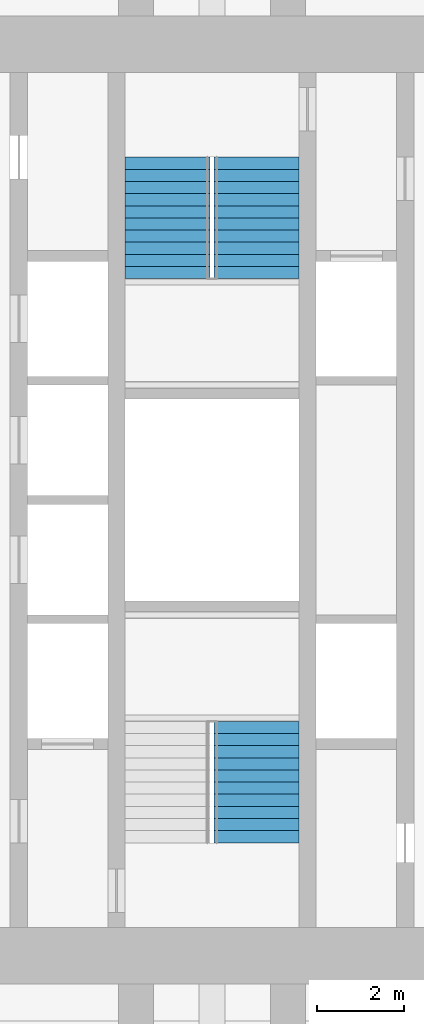
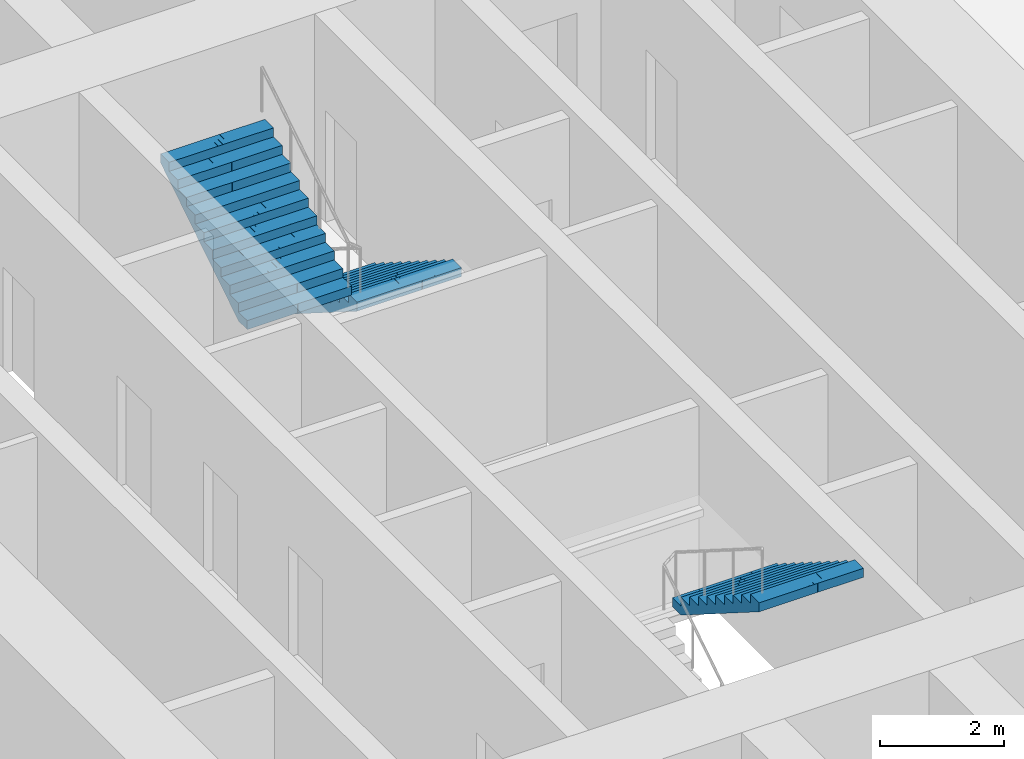
# One storey, part 18 of 19: 3 stair flights, 2 elements without a shape of their own.
"""IFC4 building model written with IfcOpenShell, lengths in metres."""

from ifc_helpers import new_model, si_unit, direction, frame, origin, place, context, subcontext, project, spatial, polyline, outline, extrude, material, type_object, element, aggregate, save


model = new_model("IFC4")

# Units and contexts
model_context = context("Model", 3, precision=1e-05, world=origin(), true_north=direction((0.0, 1.0)))
body_context = subcontext(model_context, "Body", "Model", "MODEL_VIEW")
ifc_project = project(units=[si_unit("LENGTHUNIT", "METRE"), si_unit("AREAUNIT", "SQUARE_METRE"), si_unit("VOLUMEUNIT", "CUBIC_METRE"), si_unit("PLANEANGLEUNIT", "RADIAN"), si_unit("MASSUNIT", "GRAM", prefix="KILO")], contexts=[model_context])

# Site, building, storey
site_placement = place(None, origin())
site = spatial("IfcSite", under=ifc_project, at=site_placement, CompositionType="ELEMENT")
building_placement = place(site_placement, origin())
building = spatial("IfcBuilding", under=site, at=building_placement, Name="Mizan Broadcast Tower", CompositionType="ELEMENT")
storey_placement = place(building_placement, frame((0.0, 0.0, 167.10009765625)))
storey = spatial("IfcBuildingStorey", under=building, at=storey_placement, Name="L38", CompositionType="ELEMENT", Elevation=167.10009765625)

# Stair, stair flight
ifc_material_1 = material(Name="Concrete C40/50", Category="concrete")
stair_type = type_object("IfcStairType", Name="EXIT STAIR", PredefinedType="HALF_TURN_STAIR", material=ifc_material_1)
stair_1_placement = place(storey_placement, origin())
stair_1 = element("IfcStair", 1, at=stair_1_placement, inside=storey, type_object=stair_type, Name="Stair A L38", PredefinedType="HALF_TURN_STAIR")
ifc_material_2 = material(Name="Concrete C40/50", Category="concrete")
stair_flight_type = type_object("IfcStairFlightType", Name="EXIT STAIR FLIGHT", PredefinedType="STRAIGHT", material=ifc_material_2)
stair_flight_1_placement = place(storey_placement, frame((1.02490234375, -5.10009765625, 1.949951171875), z_axis=(0.0, 0.0, 1.0), x_axis=(0.0, -1.0, 0.0)))
stair_flight_1 = element("IfcStairFlight", 2, at=stair_flight_1_placement, type_object=stair_flight_type, Name="A flight 2", NumberOfRisers=11, NumberOfTreads=10, PredefinedType="STRAIGHT", RiserHeight=0.177272727, TreadLength=0.28, context=body_context, shape_type="SweptSolid", body=[
    extrude(outline(polyline([(0.0, 0.0), (0.0, 0.17724609375), (0.280029296875, 0.17724609375), (0.280029296875, 0.3544921875), (0.56005859375, 0.3544921875), (0.56005859375, 0.53173828125), (0.840087890625, 0.53173828125), (0.840087890625, 0.708984375), (1.1201171875, 0.708984375), (1.1201171875, 0.886474609375), (1.39990234375, 0.886474609375), (1.39990234375, 1.063720703125), (1.679931640625, 1.063720703125), (1.679931640625, 1.240966796875), (1.9599609375, 1.240966796875), (1.9599609375, 1.418212890625), (2.239990234375, 1.418212890625), (2.239990234375, 1.595458984375), (2.52001953125, 1.595458984375), (2.52001953125, 1.772705078125), (2.800048828125, 1.772705078125), (2.800048828125, 1.949951171875), (2.800048828125, 1.59521484375), (0.2802734375, 0.0), (0.0, 0.0)])), frame((0.0, 0.97509765625, 0.0), z_axis=(0.0, -1.0, 0.0), x_axis=(1.0, 0.0, 0.0)), (0.0, 0.0, 1.0), 0.4873046875),
    extrude(outline(polyline([(0.0, 0.0), (0.0, 0.17724609375), (0.280029296875, 0.17724609375), (0.280029296875, 0.3544921875), (0.56005859375, 0.3544921875), (0.56005859375, 0.53173828125), (0.840087890625, 0.53173828125), (0.840087890625, 0.708984375), (1.1201171875, 0.708984375), (1.1201171875, 0.886474609375), (1.39990234375, 0.886474609375), (1.39990234375, 1.063720703125), (1.679931640625, 1.063720703125), (1.679931640625, 1.240966796875), (1.9599609375, 1.240966796875), (1.9599609375, 1.418212890625), (2.239990234375, 1.418212890625), (2.239990234375, 1.595458984375), (2.52001953125, 1.595458984375), (2.52001953125, 1.772705078125), (2.800048828125, 1.772705078125), (2.800048828125, 1.949951171875), (2.800048828125, 1.59521484375), (0.2802734375, 0.0), (0.0, 0.0)])), frame((0.0, 0.4873046875, 0.0), z_axis=(0.0, -1.0, 0.0), x_axis=(1.0, 0.0, 0.0)), (0.0, 0.0, 1.0), 0.2431640625),
    extrude(outline(polyline([(0.0, 0.0), (0.0, 0.17724609375), (0.280029296875, 0.17724609375), (0.280029296875, 0.3544921875), (0.56005859375, 0.3544921875), (0.56005859375, 0.53173828125), (0.840087890625, 0.53173828125), (0.840087890625, 0.708984375), (1.1201171875, 0.708984375), (1.1201171875, 0.886474609375), (1.39990234375, 0.886474609375), (1.39990234375, 1.063720703125), (1.679931640625, 1.063720703125), (1.679931640625, 1.240966796875), (1.9599609375, 1.240966796875), (1.9599609375, 1.418212890625), (2.239990234375, 1.418212890625), (2.239990234375, 1.595458984375), (2.52001953125, 1.595458984375), (2.52001953125, 1.772705078125), (2.800048828125, 1.772705078125), (2.800048828125, 1.949951171875), (2.800048828125, 1.59521484375), (0.2802734375, 0.0), (0.0, 0.0)])), frame((0.0, 0.24365234375, 0.0), z_axis=(0.0, -1.0, 0.0), x_axis=(1.0, 0.0, 0.0)), (0.0, 0.0, 1.0), 0.121337890625),
    extrude(outline(polyline([(0.0, 0.0), (0.0, 0.17724609375), (0.280029296875, 0.17724609375), (0.280029296875, 0.3544921875), (0.56005859375, 0.3544921875), (0.56005859375, 0.53173828125), (0.840087890625, 0.53173828125), (0.840087890625, 0.708984375), (1.1201171875, 0.708984375), (1.1201171875, 0.886474609375), (1.39990234375, 0.886474609375), (1.39990234375, 1.063720703125), (1.679931640625, 1.063720703125), (1.679931640625, 1.240966796875), (1.9599609375, 1.240966796875), (1.9599609375, 1.418212890625), (2.239990234375, 1.418212890625), (2.239990234375, 1.595458984375), (2.52001953125, 1.595458984375), (2.52001953125, 1.772705078125), (2.800048828125, 1.772705078125), (2.800048828125, 1.949951171875), (2.800048828125, 1.59521484375), (0.2802734375, 0.0), (0.0, 0.0)])), frame((0.0, 0.121826171875, 0.0), z_axis=(0.0, -1.0, 0.0), x_axis=(1.0, 0.0, 0.0)), (0.0, 0.0, 1.0), 0.060546875),
    extrude(outline(polyline([(0.0, 0.0), (0.0, 0.17724609375), (0.280029296875, 0.17724609375), (0.280029296875, 0.3544921875), (0.56005859375, 0.3544921875), (0.56005859375, 0.53173828125), (0.840087890625, 0.53173828125), (0.840087890625, 0.708984375), (1.1201171875, 0.708984375), (1.1201171875, 0.886474609375), (1.39990234375, 0.886474609375), (1.39990234375, 1.063720703125), (1.679931640625, 1.063720703125), (1.679931640625, 1.240966796875), (1.9599609375, 1.240966796875), (1.9599609375, 1.418212890625), (2.239990234375, 1.418212890625), (2.239990234375, 1.595458984375), (2.52001953125, 1.595458984375), (2.52001953125, 1.772705078125), (2.800048828125, 1.772705078125), (2.800048828125, 1.949951171875), (2.800048828125, 1.59521484375), (0.2802734375, 0.0), (0.0, 0.0)])), frame((0.0, 0.060791015625, 0.0), z_axis=(0.0, -1.0, 0.0), x_axis=(1.0, 0.0, 0.0)), (0.0, 0.0, 1.0), 0.030029296875),
    extrude(outline(polyline([(0.0, 0.0), (0.0, 0.17724609375), (0.280029296875, 0.17724609375), (0.280029296875, 0.3544921875), (0.56005859375, 0.3544921875), (0.56005859375, 0.53173828125), (0.840087890625, 0.53173828125), (0.840087890625, 0.708984375), (1.1201171875, 0.708984375), (1.1201171875, 0.886474609375), (1.39990234375, 0.886474609375), (1.39990234375, 1.063720703125), (1.679931640625, 1.063720703125), (1.679931640625, 1.240966796875), (1.9599609375, 1.240966796875), (1.9599609375, 1.418212890625), (2.239990234375, 1.418212890625), (2.239990234375, 1.595458984375), (2.52001953125, 1.595458984375), (2.52001953125, 1.772705078125), (2.800048828125, 1.772705078125), (2.800048828125, 1.949951171875), (2.800048828125, 1.59521484375), (0.2802734375, 0.0), (0.0, 0.0)])), frame((0.0, 0.0302734375, 0.0), z_axis=(0.0, -1.0, 0.0), x_axis=(1.0, 0.0, 0.0)), (0.0, 0.0, 1.0), 0.060302734375),
    extrude(outline(polyline([(0.0, 0.0), (0.0, 0.17724609375), (0.280029296875, 0.17724609375), (0.280029296875, 0.3544921875), (0.56005859375, 0.3544921875), (0.56005859375, 0.53173828125), (0.840087890625, 0.53173828125), (0.840087890625, 0.708984375), (1.1201171875, 0.708984375), (1.1201171875, 0.886474609375), (1.39990234375, 0.886474609375), (1.39990234375, 1.063720703125), (1.679931640625, 1.063720703125), (1.679931640625, 1.240966796875), (1.9599609375, 1.240966796875), (1.9599609375, 1.418212890625), (2.239990234375, 1.418212890625), (2.239990234375, 1.595458984375), (2.52001953125, 1.595458984375), (2.52001953125, 1.772705078125), (2.800048828125, 1.772705078125), (2.800048828125, 1.949951171875), (2.800048828125, 1.59521484375), (0.2802734375, 0.0), (0.0, 0.0)])), frame((0.0, -0.030517578125, 0.0), z_axis=(0.0, -1.0, 0.0), x_axis=(1.0, 0.0, 0.0)), (0.0, 0.0, 1.0), 0.030029296875),
    extrude(outline(polyline([(0.0, 0.0), (0.0, 0.17724609375), (0.280029296875, 0.17724609375), (0.280029296875, 0.3544921875), (0.56005859375, 0.3544921875), (0.56005859375, 0.53173828125), (0.840087890625, 0.53173828125), (0.840087890625, 0.708984375), (1.1201171875, 0.708984375), (1.1201171875, 0.886474609375), (1.39990234375, 0.886474609375), (1.39990234375, 1.063720703125), (1.679931640625, 1.063720703125), (1.679931640625, 1.240966796875), (1.9599609375, 1.240966796875), (1.9599609375, 1.418212890625), (2.239990234375, 1.418212890625), (2.239990234375, 1.595458984375), (2.52001953125, 1.595458984375), (2.52001953125, 1.772705078125), (2.800048828125, 1.772705078125), (2.800048828125, 1.949951171875), (2.800048828125, 1.59521484375), (0.2802734375, 0.0), (0.0, 0.0)])), frame((0.0, -0.06103515625, 0.0), z_axis=(0.0, -1.0, 0.0), x_axis=(1.0, 0.0, 0.0)), (0.0, 0.0, 1.0), 0.060546875),
    extrude(outline(polyline([(0.0, 0.0), (0.0, 0.17724609375), (0.280029296875, 0.17724609375), (0.280029296875, 0.3544921875), (0.56005859375, 0.3544921875), (0.56005859375, 0.53173828125), (0.840087890625, 0.53173828125), (0.840087890625, 0.708984375), (1.1201171875, 0.708984375), (1.1201171875, 0.886474609375), (1.39990234375, 0.886474609375), (1.39990234375, 1.063720703125), (1.679931640625, 1.063720703125), (1.679931640625, 1.240966796875), (1.9599609375, 1.240966796875), (1.9599609375, 1.418212890625), (2.239990234375, 1.418212890625), (2.239990234375, 1.595458984375), (2.52001953125, 1.595458984375), (2.52001953125, 1.772705078125), (2.800048828125, 1.772705078125), (2.800048828125, 1.949951171875), (2.800048828125, 1.59521484375), (0.2802734375, 0.0), (0.0, 0.0)])), frame((0.0, -0.1220703125, 0.0), z_axis=(0.0, -1.0, 0.0), x_axis=(1.0, 0.0, 0.0)), (0.0, 0.0, 1.0), 0.121337890625),
    extrude(outline(polyline([(0.0, 0.0), (0.0, 0.17724609375), (0.280029296875, 0.17724609375), (0.280029296875, 0.3544921875), (0.56005859375, 0.3544921875), (0.56005859375, 0.53173828125), (0.840087890625, 0.53173828125), (0.840087890625, 0.708984375), (1.1201171875, 0.708984375), (1.1201171875, 0.886474609375), (1.39990234375, 0.886474609375), (1.39990234375, 1.063720703125), (1.679931640625, 1.063720703125), (1.679931640625, 1.240966796875), (1.9599609375, 1.240966796875), (1.9599609375, 1.418212890625), (2.239990234375, 1.418212890625), (2.239990234375, 1.595458984375), (2.52001953125, 1.595458984375), (2.52001953125, 1.772705078125), (2.800048828125, 1.772705078125), (2.800048828125, 1.949951171875), (2.800048828125, 1.59521484375), (0.2802734375, 0.0), (0.0, 0.0)])), frame((0.0, -0.243896484375, 0.0), z_axis=(0.0, -1.0, 0.0), x_axis=(1.0, 0.0, 0.0)), (0.0, 0.0, 1.0), 0.2431640625),
    extrude(outline(polyline([(0.0, 0.0), (0.0, 0.17724609375), (0.280029296875, 0.17724609375), (0.280029296875, 0.3544921875), (0.56005859375, 0.3544921875), (0.56005859375, 0.53173828125), (0.840087890625, 0.53173828125), (0.840087890625, 0.708984375), (1.1201171875, 0.708984375), (1.1201171875, 0.886474609375), (1.39990234375, 0.886474609375), (1.39990234375, 1.063720703125), (1.679931640625, 1.063720703125), (1.679931640625, 1.240966796875), (1.9599609375, 1.240966796875), (1.9599609375, 1.418212890625), (2.239990234375, 1.418212890625), (2.239990234375, 1.595458984375), (2.52001953125, 1.595458984375), (2.52001953125, 1.772705078125), (2.800048828125, 1.772705078125), (2.800048828125, 1.949951171875), (2.800048828125, 1.59521484375), (0.2802734375, 0.0), (0.0, 0.0)])), frame((0.0, -0.487548828125, 0.0), z_axis=(0.0, -1.0, 0.0), x_axis=(1.0, 0.0, 0.0)), (0.0, 0.0, 1.0), 0.4873046875),
])
aggregate(stair_1, [stair_flight_1])

# Stair, stair flights
stair_2_placement = place(storey_placement, origin())
stair_2 = element("IfcStair", 3, at=stair_2_placement, inside=storey, type_object=stair_type, Name="Stair B L38", PredefinedType="HALF_TURN_STAIR")
stair_flight_2_placement = place(storey_placement, frame((1.02490234375, 7.89990234375, 0.0), z_axis=(0.0, 0.0, 1.0), x_axis=(0.0, -1.0, 0.0)))
stair_flight_2 = element("IfcStairFlight", 4, at=stair_flight_2_placement, type_object=stair_flight_type, Name="B flight 1", NumberOfRisers=11, NumberOfTreads=10, PredefinedType="STRAIGHT", RiserHeight=0.177272727, TreadLength=0.28, context=body_context, shape_type="SweptSolid", body=[
    extrude(outline(polyline([(0.0, 0.0), (0.0, 0.17724609375), (0.280029296875, 0.17724609375), (0.280029296875, 0.3544921875), (0.56005859375, 0.3544921875), (0.56005859375, 0.53173828125), (0.840087890625, 0.53173828125), (0.840087890625, 0.708984375), (1.1201171875, 0.708984375), (1.1201171875, 0.886474609375), (1.39990234375, 0.886474609375), (1.39990234375, 1.063720703125), (1.679931640625, 1.063720703125), (1.679931640625, 1.240966796875), (1.9599609375, 1.240966796875), (1.9599609375, 1.418212890625), (2.239990234375, 1.418212890625), (2.239990234375, 1.595458984375), (2.52001953125, 1.595458984375), (2.52001953125, 1.772705078125), (2.800048828125, 1.772705078125), (2.800048828125, 1.949951171875), (2.800048828125, 1.59521484375), (0.2802734375, 0.0), (0.0, 0.0)])), frame((0.0, 0.97509765625, 0.0), z_axis=(0.0, -1.0, 0.0), x_axis=(1.0, 0.0, 0.0)), (0.0, 0.0, 1.0), 0.4873046875),
    extrude(outline(polyline([(0.0, 0.0), (0.0, 0.17724609375), (0.280029296875, 0.17724609375), (0.280029296875, 0.3544921875), (0.56005859375, 0.3544921875), (0.56005859375, 0.53173828125), (0.840087890625, 0.53173828125), (0.840087890625, 0.708984375), (1.1201171875, 0.708984375), (1.1201171875, 0.886474609375), (1.39990234375, 0.886474609375), (1.39990234375, 1.063720703125), (1.679931640625, 1.063720703125), (1.679931640625, 1.240966796875), (1.9599609375, 1.240966796875), (1.9599609375, 1.418212890625), (2.239990234375, 1.418212890625), (2.239990234375, 1.595458984375), (2.52001953125, 1.595458984375), (2.52001953125, 1.772705078125), (2.800048828125, 1.772705078125), (2.800048828125, 1.949951171875), (2.800048828125, 1.59521484375), (0.2802734375, 0.0), (0.0, 0.0)])), frame((0.0, 0.4873046875, 0.0), z_axis=(0.0, -1.0, 0.0), x_axis=(1.0, 0.0, 0.0)), (0.0, 0.0, 1.0), 0.2431640625),
    extrude(outline(polyline([(0.0, 0.0), (0.0, 0.17724609375), (0.280029296875, 0.17724609375), (0.280029296875, 0.3544921875), (0.56005859375, 0.3544921875), (0.56005859375, 0.53173828125), (0.840087890625, 0.53173828125), (0.840087890625, 0.708984375), (1.1201171875, 0.708984375), (1.1201171875, 0.886474609375), (1.39990234375, 0.886474609375), (1.39990234375, 1.063720703125), (1.679931640625, 1.063720703125), (1.679931640625, 1.240966796875), (1.9599609375, 1.240966796875), (1.9599609375, 1.418212890625), (2.239990234375, 1.418212890625), (2.239990234375, 1.595458984375), (2.52001953125, 1.595458984375), (2.52001953125, 1.772705078125), (2.800048828125, 1.772705078125), (2.800048828125, 1.949951171875), (2.800048828125, 1.59521484375), (0.2802734375, 0.0), (0.0, 0.0)])), frame((0.0, 0.24365234375, 0.0), z_axis=(0.0, -1.0, 0.0), x_axis=(1.0, 0.0, 0.0)), (0.0, 0.0, 1.0), 0.121337890625),
    extrude(outline(polyline([(0.0, 0.0), (0.0, 0.17724609375), (0.280029296875, 0.17724609375), (0.280029296875, 0.3544921875), (0.56005859375, 0.3544921875), (0.56005859375, 0.53173828125), (0.840087890625, 0.53173828125), (0.840087890625, 0.708984375), (1.1201171875, 0.708984375), (1.1201171875, 0.886474609375), (1.39990234375, 0.886474609375), (1.39990234375, 1.063720703125), (1.679931640625, 1.063720703125), (1.679931640625, 1.240966796875), (1.9599609375, 1.240966796875), (1.9599609375, 1.418212890625), (2.239990234375, 1.418212890625), (2.239990234375, 1.595458984375), (2.52001953125, 1.595458984375), (2.52001953125, 1.772705078125), (2.800048828125, 1.772705078125), (2.800048828125, 1.949951171875), (2.800048828125, 1.59521484375), (0.2802734375, 0.0), (0.0, 0.0)])), frame((0.0, 0.121826171875, 0.0), z_axis=(0.0, -1.0, 0.0), x_axis=(1.0, 0.0, 0.0)), (0.0, 0.0, 1.0), 0.060546875),
    extrude(outline(polyline([(0.0, 0.0), (0.0, 0.17724609375), (0.280029296875, 0.17724609375), (0.280029296875, 0.3544921875), (0.56005859375, 0.3544921875), (0.56005859375, 0.53173828125), (0.840087890625, 0.53173828125), (0.840087890625, 0.708984375), (1.1201171875, 0.708984375), (1.1201171875, 0.886474609375), (1.39990234375, 0.886474609375), (1.39990234375, 1.063720703125), (1.679931640625, 1.063720703125), (1.679931640625, 1.240966796875), (1.9599609375, 1.240966796875), (1.9599609375, 1.418212890625), (2.239990234375, 1.418212890625), (2.239990234375, 1.595458984375), (2.52001953125, 1.595458984375), (2.52001953125, 1.772705078125), (2.800048828125, 1.772705078125), (2.800048828125, 1.949951171875), (2.800048828125, 1.59521484375), (0.2802734375, 0.0), (0.0, 0.0)])), frame((0.0, 0.060791015625, 0.0), z_axis=(0.0, -1.0, 0.0), x_axis=(1.0, 0.0, 0.0)), (0.0, 0.0, 1.0), 0.030029296875),
    extrude(outline(polyline([(0.0, 0.0), (0.0, 0.17724609375), (0.280029296875, 0.17724609375), (0.280029296875, 0.3544921875), (0.56005859375, 0.3544921875), (0.56005859375, 0.53173828125), (0.840087890625, 0.53173828125), (0.840087890625, 0.708984375), (1.1201171875, 0.708984375), (1.1201171875, 0.886474609375), (1.39990234375, 0.886474609375), (1.39990234375, 1.063720703125), (1.679931640625, 1.063720703125), (1.679931640625, 1.240966796875), (1.9599609375, 1.240966796875), (1.9599609375, 1.418212890625), (2.239990234375, 1.418212890625), (2.239990234375, 1.595458984375), (2.52001953125, 1.595458984375), (2.52001953125, 1.772705078125), (2.800048828125, 1.772705078125), (2.800048828125, 1.949951171875), (2.800048828125, 1.59521484375), (0.2802734375, 0.0), (0.0, 0.0)])), frame((0.0, 0.0302734375, 0.0), z_axis=(0.0, -1.0, 0.0), x_axis=(1.0, 0.0, 0.0)), (0.0, 0.0, 1.0), 0.060302734375),
    extrude(outline(polyline([(0.0, 0.0), (0.0, 0.17724609375), (0.280029296875, 0.17724609375), (0.280029296875, 0.3544921875), (0.56005859375, 0.3544921875), (0.56005859375, 0.53173828125), (0.840087890625, 0.53173828125), (0.840087890625, 0.708984375), (1.1201171875, 0.708984375), (1.1201171875, 0.886474609375), (1.39990234375, 0.886474609375), (1.39990234375, 1.063720703125), (1.679931640625, 1.063720703125), (1.679931640625, 1.240966796875), (1.9599609375, 1.240966796875), (1.9599609375, 1.418212890625), (2.239990234375, 1.418212890625), (2.239990234375, 1.595458984375), (2.52001953125, 1.595458984375), (2.52001953125, 1.772705078125), (2.800048828125, 1.772705078125), (2.800048828125, 1.949951171875), (2.800048828125, 1.59521484375), (0.2802734375, 0.0), (0.0, 0.0)])), frame((0.0, -0.030517578125, 0.0), z_axis=(0.0, -1.0, 0.0), x_axis=(1.0, 0.0, 0.0)), (0.0, 0.0, 1.0), 0.030029296875),
    extrude(outline(polyline([(0.0, 0.0), (0.0, 0.17724609375), (0.280029296875, 0.17724609375), (0.280029296875, 0.3544921875), (0.56005859375, 0.3544921875), (0.56005859375, 0.53173828125), (0.840087890625, 0.53173828125), (0.840087890625, 0.708984375), (1.1201171875, 0.708984375), (1.1201171875, 0.886474609375), (1.39990234375, 0.886474609375), (1.39990234375, 1.063720703125), (1.679931640625, 1.063720703125), (1.679931640625, 1.240966796875), (1.9599609375, 1.240966796875), (1.9599609375, 1.418212890625), (2.239990234375, 1.418212890625), (2.239990234375, 1.595458984375), (2.52001953125, 1.595458984375), (2.52001953125, 1.772705078125), (2.800048828125, 1.772705078125), (2.800048828125, 1.949951171875), (2.800048828125, 1.59521484375), (0.2802734375, 0.0), (0.0, 0.0)])), frame((0.0, -0.06103515625, 0.0), z_axis=(0.0, -1.0, 0.0), x_axis=(1.0, 0.0, 0.0)), (0.0, 0.0, 1.0), 0.060546875),
    extrude(outline(polyline([(0.0, 0.0), (0.0, 0.17724609375), (0.280029296875, 0.17724609375), (0.280029296875, 0.3544921875), (0.56005859375, 0.3544921875), (0.56005859375, 0.53173828125), (0.840087890625, 0.53173828125), (0.840087890625, 0.708984375), (1.1201171875, 0.708984375), (1.1201171875, 0.886474609375), (1.39990234375, 0.886474609375), (1.39990234375, 1.063720703125), (1.679931640625, 1.063720703125), (1.679931640625, 1.240966796875), (1.9599609375, 1.240966796875), (1.9599609375, 1.418212890625), (2.239990234375, 1.418212890625), (2.239990234375, 1.595458984375), (2.52001953125, 1.595458984375), (2.52001953125, 1.772705078125), (2.800048828125, 1.772705078125), (2.800048828125, 1.949951171875), (2.800048828125, 1.59521484375), (0.2802734375, 0.0), (0.0, 0.0)])), frame((0.0, -0.1220703125, 0.0), z_axis=(0.0, -1.0, 0.0), x_axis=(1.0, 0.0, 0.0)), (0.0, 0.0, 1.0), 0.121337890625),
    extrude(outline(polyline([(0.0, 0.0), (0.0, 0.17724609375), (0.280029296875, 0.17724609375), (0.280029296875, 0.3544921875), (0.56005859375, 0.3544921875), (0.56005859375, 0.53173828125), (0.840087890625, 0.53173828125), (0.840087890625, 0.708984375), (1.1201171875, 0.708984375), (1.1201171875, 0.886474609375), (1.39990234375, 0.886474609375), (1.39990234375, 1.063720703125), (1.679931640625, 1.063720703125), (1.679931640625, 1.240966796875), (1.9599609375, 1.240966796875), (1.9599609375, 1.418212890625), (2.239990234375, 1.418212890625), (2.239990234375, 1.595458984375), (2.52001953125, 1.595458984375), (2.52001953125, 1.772705078125), (2.800048828125, 1.772705078125), (2.800048828125, 1.949951171875), (2.800048828125, 1.59521484375), (0.2802734375, 0.0), (0.0, 0.0)])), frame((0.0, -0.243896484375, 0.0), z_axis=(0.0, -1.0, 0.0), x_axis=(1.0, 0.0, 0.0)), (0.0, 0.0, 1.0), 0.2431640625),
    extrude(outline(polyline([(0.0, 0.0), (0.0, 0.17724609375), (0.280029296875, 0.17724609375), (0.280029296875, 0.3544921875), (0.56005859375, 0.3544921875), (0.56005859375, 0.53173828125), (0.840087890625, 0.53173828125), (0.840087890625, 0.708984375), (1.1201171875, 0.708984375), (1.1201171875, 0.886474609375), (1.39990234375, 0.886474609375), (1.39990234375, 1.063720703125), (1.679931640625, 1.063720703125), (1.679931640625, 1.240966796875), (1.9599609375, 1.240966796875), (1.9599609375, 1.418212890625), (2.239990234375, 1.418212890625), (2.239990234375, 1.595458984375), (2.52001953125, 1.595458984375), (2.52001953125, 1.772705078125), (2.800048828125, 1.772705078125), (2.800048828125, 1.949951171875), (2.800048828125, 1.59521484375), (0.2802734375, 0.0), (0.0, 0.0)])), frame((0.0, -0.487548828125, 0.0), z_axis=(0.0, -1.0, 0.0), x_axis=(1.0, 0.0, 0.0)), (0.0, 0.0, 1.0), 0.4873046875),
])
stair_flight_3_placement = place(storey_placement, frame((-1.02490234375, 5.10009765625, 1.949951171875), z_axis=(0.0, 0.0, 1.0), x_axis=(0.0, 1.0, 0.0)))
stair_flight_3 = element("IfcStairFlight", 5, at=stair_flight_3_placement, type_object=stair_flight_type, Name="B flight 2", NumberOfRisers=11, NumberOfTreads=10, PredefinedType="STRAIGHT", RiserHeight=0.177272727, TreadLength=0.28, context=body_context, shape_type="SweptSolid", body=[
    extrude(outline(polyline([(0.0, 0.0), (0.0, 0.17724609375), (0.280029296875, 0.17724609375), (0.280029296875, 0.3544921875), (0.56005859375, 0.3544921875), (0.56005859375, 0.53173828125), (0.840087890625, 0.53173828125), (0.840087890625, 0.708984375), (1.1201171875, 0.708984375), (1.1201171875, 0.886474609375), (1.39990234375, 0.886474609375), (1.39990234375, 1.063720703125), (1.679931640625, 1.063720703125), (1.679931640625, 1.240966796875), (1.9599609375, 1.240966796875), (1.9599609375, 1.418212890625), (2.239990234375, 1.418212890625), (2.239990234375, 1.595458984375), (2.52001953125, 1.595458984375), (2.52001953125, 1.772705078125), (2.800048828125, 1.772705078125), (2.800048828125, 1.949951171875), (2.800048828125, 1.59521484375), (0.2802734375, 0.0), (0.0, 0.0)])), frame((0.0, 0.97509765625, 0.0), z_axis=(0.0, -1.0, 0.0), x_axis=(1.0, 0.0, 0.0)), (0.0, 0.0, 1.0), 0.4873046875),
    extrude(outline(polyline([(0.0, 0.0), (0.0, 0.17724609375), (0.280029296875, 0.17724609375), (0.280029296875, 0.3544921875), (0.56005859375, 0.3544921875), (0.56005859375, 0.53173828125), (0.840087890625, 0.53173828125), (0.840087890625, 0.708984375), (1.1201171875, 0.708984375), (1.1201171875, 0.886474609375), (1.39990234375, 0.886474609375), (1.39990234375, 1.063720703125), (1.679931640625, 1.063720703125), (1.679931640625, 1.240966796875), (1.9599609375, 1.240966796875), (1.9599609375, 1.418212890625), (2.239990234375, 1.418212890625), (2.239990234375, 1.595458984375), (2.52001953125, 1.595458984375), (2.52001953125, 1.772705078125), (2.800048828125, 1.772705078125), (2.800048828125, 1.949951171875), (2.800048828125, 1.59521484375), (0.2802734375, 0.0), (0.0, 0.0)])), frame((0.0, 0.4873046875, 0.0), z_axis=(0.0, -1.0, 0.0), x_axis=(1.0, 0.0, 0.0)), (0.0, 0.0, 1.0), 0.2431640625),
    extrude(outline(polyline([(0.0, 0.0), (0.0, 0.17724609375), (0.280029296875, 0.17724609375), (0.280029296875, 0.3544921875), (0.56005859375, 0.3544921875), (0.56005859375, 0.53173828125), (0.840087890625, 0.53173828125), (0.840087890625, 0.708984375), (1.1201171875, 0.708984375), (1.1201171875, 0.886474609375), (1.39990234375, 0.886474609375), (1.39990234375, 1.063720703125), (1.679931640625, 1.063720703125), (1.679931640625, 1.240966796875), (1.9599609375, 1.240966796875), (1.9599609375, 1.418212890625), (2.239990234375, 1.418212890625), (2.239990234375, 1.595458984375), (2.52001953125, 1.595458984375), (2.52001953125, 1.772705078125), (2.800048828125, 1.772705078125), (2.800048828125, 1.949951171875), (2.800048828125, 1.59521484375), (0.2802734375, 0.0), (0.0, 0.0)])), frame((0.0, 0.24365234375, 0.0), z_axis=(0.0, -1.0, 0.0), x_axis=(1.0, 0.0, 0.0)), (0.0, 0.0, 1.0), 0.121337890625),
    extrude(outline(polyline([(0.0, 0.0), (0.0, 0.17724609375), (0.280029296875, 0.17724609375), (0.280029296875, 0.3544921875), (0.56005859375, 0.3544921875), (0.56005859375, 0.53173828125), (0.840087890625, 0.53173828125), (0.840087890625, 0.708984375), (1.1201171875, 0.708984375), (1.1201171875, 0.886474609375), (1.39990234375, 0.886474609375), (1.39990234375, 1.063720703125), (1.679931640625, 1.063720703125), (1.679931640625, 1.240966796875), (1.9599609375, 1.240966796875), (1.9599609375, 1.418212890625), (2.239990234375, 1.418212890625), (2.239990234375, 1.595458984375), (2.52001953125, 1.595458984375), (2.52001953125, 1.772705078125), (2.800048828125, 1.772705078125), (2.800048828125, 1.949951171875), (2.800048828125, 1.59521484375), (0.2802734375, 0.0), (0.0, 0.0)])), frame((0.0, 0.121826171875, 0.0), z_axis=(0.0, -1.0, 0.0), x_axis=(1.0, 0.0, 0.0)), (0.0, 0.0, 1.0), 0.060546875),
    extrude(outline(polyline([(0.0, 0.0), (0.0, 0.17724609375), (0.280029296875, 0.17724609375), (0.280029296875, 0.3544921875), (0.56005859375, 0.3544921875), (0.56005859375, 0.53173828125), (0.840087890625, 0.53173828125), (0.840087890625, 0.708984375), (1.1201171875, 0.708984375), (1.1201171875, 0.886474609375), (1.39990234375, 0.886474609375), (1.39990234375, 1.063720703125), (1.679931640625, 1.063720703125), (1.679931640625, 1.240966796875), (1.9599609375, 1.240966796875), (1.9599609375, 1.418212890625), (2.239990234375, 1.418212890625), (2.239990234375, 1.595458984375), (2.52001953125, 1.595458984375), (2.52001953125, 1.772705078125), (2.800048828125, 1.772705078125), (2.800048828125, 1.949951171875), (2.800048828125, 1.59521484375), (0.2802734375, 0.0), (0.0, 0.0)])), frame((0.0, 0.060791015625, 0.0), z_axis=(0.0, -1.0, 0.0), x_axis=(1.0, 0.0, 0.0)), (0.0, 0.0, 1.0), 0.030029296875),
    extrude(outline(polyline([(0.0, 0.0), (0.0, 0.17724609375), (0.280029296875, 0.17724609375), (0.280029296875, 0.3544921875), (0.56005859375, 0.3544921875), (0.56005859375, 0.53173828125), (0.840087890625, 0.53173828125), (0.840087890625, 0.708984375), (1.1201171875, 0.708984375), (1.1201171875, 0.886474609375), (1.39990234375, 0.886474609375), (1.39990234375, 1.063720703125), (1.679931640625, 1.063720703125), (1.679931640625, 1.240966796875), (1.9599609375, 1.240966796875), (1.9599609375, 1.418212890625), (2.239990234375, 1.418212890625), (2.239990234375, 1.595458984375), (2.52001953125, 1.595458984375), (2.52001953125, 1.772705078125), (2.800048828125, 1.772705078125), (2.800048828125, 1.949951171875), (2.800048828125, 1.59521484375), (0.2802734375, 0.0), (0.0, 0.0)])), frame((0.0, 0.0302734375, 0.0), z_axis=(0.0, -1.0, 0.0), x_axis=(1.0, 0.0, 0.0)), (0.0, 0.0, 1.0), 0.060302734375),
    extrude(outline(polyline([(0.0, 0.0), (0.0, 0.17724609375), (0.280029296875, 0.17724609375), (0.280029296875, 0.3544921875), (0.56005859375, 0.3544921875), (0.56005859375, 0.53173828125), (0.840087890625, 0.53173828125), (0.840087890625, 0.708984375), (1.1201171875, 0.708984375), (1.1201171875, 0.886474609375), (1.39990234375, 0.886474609375), (1.39990234375, 1.063720703125), (1.679931640625, 1.063720703125), (1.679931640625, 1.240966796875), (1.9599609375, 1.240966796875), (1.9599609375, 1.418212890625), (2.239990234375, 1.418212890625), (2.239990234375, 1.595458984375), (2.52001953125, 1.595458984375), (2.52001953125, 1.772705078125), (2.800048828125, 1.772705078125), (2.800048828125, 1.949951171875), (2.800048828125, 1.59521484375), (0.2802734375, 0.0), (0.0, 0.0)])), frame((0.0, -0.030517578125, 0.0), z_axis=(0.0, -1.0, 0.0), x_axis=(1.0, 0.0, 0.0)), (0.0, 0.0, 1.0), 0.030029296875),
    extrude(outline(polyline([(0.0, 0.0), (0.0, 0.17724609375), (0.280029296875, 0.17724609375), (0.280029296875, 0.3544921875), (0.56005859375, 0.3544921875), (0.56005859375, 0.53173828125), (0.840087890625, 0.53173828125), (0.840087890625, 0.708984375), (1.1201171875, 0.708984375), (1.1201171875, 0.886474609375), (1.39990234375, 0.886474609375), (1.39990234375, 1.063720703125), (1.679931640625, 1.063720703125), (1.679931640625, 1.240966796875), (1.9599609375, 1.240966796875), (1.9599609375, 1.418212890625), (2.239990234375, 1.418212890625), (2.239990234375, 1.595458984375), (2.52001953125, 1.595458984375), (2.52001953125, 1.772705078125), (2.800048828125, 1.772705078125), (2.800048828125, 1.949951171875), (2.800048828125, 1.59521484375), (0.2802734375, 0.0), (0.0, 0.0)])), frame((0.0, -0.06103515625, 0.0), z_axis=(0.0, -1.0, 0.0), x_axis=(1.0, 0.0, 0.0)), (0.0, 0.0, 1.0), 0.060546875),
    extrude(outline(polyline([(0.0, 0.0), (0.0, 0.17724609375), (0.280029296875, 0.17724609375), (0.280029296875, 0.3544921875), (0.56005859375, 0.3544921875), (0.56005859375, 0.53173828125), (0.840087890625, 0.53173828125), (0.840087890625, 0.708984375), (1.1201171875, 0.708984375), (1.1201171875, 0.886474609375), (1.39990234375, 0.886474609375), (1.39990234375, 1.063720703125), (1.679931640625, 1.063720703125), (1.679931640625, 1.240966796875), (1.9599609375, 1.240966796875), (1.9599609375, 1.418212890625), (2.239990234375, 1.418212890625), (2.239990234375, 1.595458984375), (2.52001953125, 1.595458984375), (2.52001953125, 1.772705078125), (2.800048828125, 1.772705078125), (2.800048828125, 1.949951171875), (2.800048828125, 1.59521484375), (0.2802734375, 0.0), (0.0, 0.0)])), frame((0.0, -0.1220703125, 0.0), z_axis=(0.0, -1.0, 0.0), x_axis=(1.0, 0.0, 0.0)), (0.0, 0.0, 1.0), 0.121337890625),
    extrude(outline(polyline([(0.0, 0.0), (0.0, 0.17724609375), (0.280029296875, 0.17724609375), (0.280029296875, 0.3544921875), (0.56005859375, 0.3544921875), (0.56005859375, 0.53173828125), (0.840087890625, 0.53173828125), (0.840087890625, 0.708984375), (1.1201171875, 0.708984375), (1.1201171875, 0.886474609375), (1.39990234375, 0.886474609375), (1.39990234375, 1.063720703125), (1.679931640625, 1.063720703125), (1.679931640625, 1.240966796875), (1.9599609375, 1.240966796875), (1.9599609375, 1.418212890625), (2.239990234375, 1.418212890625), (2.239990234375, 1.595458984375), (2.52001953125, 1.595458984375), (2.52001953125, 1.772705078125), (2.800048828125, 1.772705078125), (2.800048828125, 1.949951171875), (2.800048828125, 1.59521484375), (0.2802734375, 0.0), (0.0, 0.0)])), frame((0.0, -0.243896484375, 0.0), z_axis=(0.0, -1.0, 0.0), x_axis=(1.0, 0.0, 0.0)), (0.0, 0.0, 1.0), 0.2431640625),
    extrude(outline(polyline([(0.0, 0.0), (0.0, 0.17724609375), (0.280029296875, 0.17724609375), (0.280029296875, 0.3544921875), (0.56005859375, 0.3544921875), (0.56005859375, 0.53173828125), (0.840087890625, 0.53173828125), (0.840087890625, 0.708984375), (1.1201171875, 0.708984375), (1.1201171875, 0.886474609375), (1.39990234375, 0.886474609375), (1.39990234375, 1.063720703125), (1.679931640625, 1.063720703125), (1.679931640625, 1.240966796875), (1.9599609375, 1.240966796875), (1.9599609375, 1.418212890625), (2.239990234375, 1.418212890625), (2.239990234375, 1.595458984375), (2.52001953125, 1.595458984375), (2.52001953125, 1.772705078125), (2.800048828125, 1.772705078125), (2.800048828125, 1.949951171875), (2.800048828125, 1.59521484375), (0.2802734375, 0.0), (0.0, 0.0)])), frame((0.0, -0.487548828125, 0.0), z_axis=(0.0, -1.0, 0.0), x_axis=(1.0, 0.0, 0.0)), (0.0, 0.0, 1.0), 0.4873046875),
])
aggregate(stair_2, [stair_flight_2, stair_flight_3])

save(model, "model.ifc")
